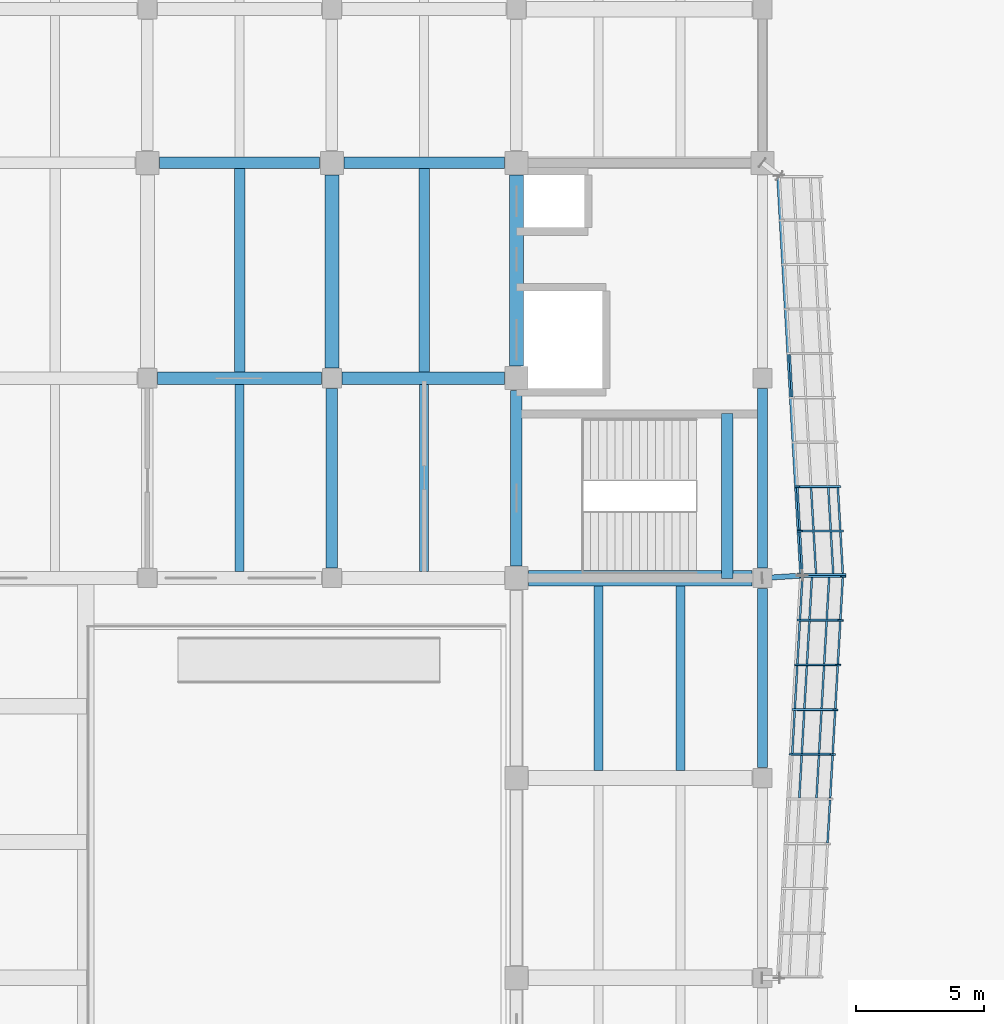
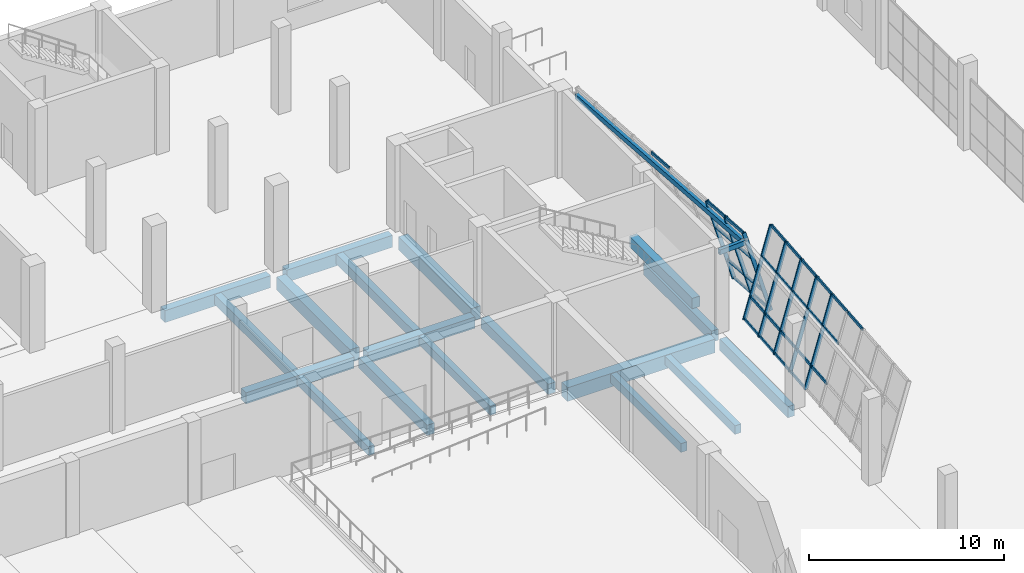
# One storey, part 31 of 78: 37 members, 20 beams, 2 elements without a shape of their own.
"""IFC4 building model written with IfcOpenShell, lengths in metres."""

from ifc_helpers import new_model, si_unit, direction, frame, origin, origin_2d, place, context, subcontext, project, spatial, rectangle, hollow_rectangle, extrude, material, material_profile, profile_set, type_object, element, aggregate, save


model = new_model("IFC4")

# Units and contexts
model_context = context("Model", 3, precision=1e-05, world=origin(), true_north=direction((0.0, 1.0)))
body_context = subcontext(model_context, "Body", "Model", "MODEL_VIEW")
ifc_project = project(units=[si_unit("LENGTHUNIT", "METRE"), si_unit("AREAUNIT", "SQUARE_METRE"), si_unit("VOLUMEUNIT", "CUBIC_METRE"), si_unit("PLANEANGLEUNIT", "RADIAN"), si_unit("MASSUNIT", "GRAM", prefix="KILO")], contexts=[model_context])

# Site, building, storey
site_placement = place(None, origin())
site = spatial("IfcSite", under=ifc_project, at=site_placement, CompositionType="ELEMENT")
building_placement = place(site_placement, origin())
building = spatial("IfcBuilding", under=site, at=building_placement, Name="Pellamere Symphony Hall", CompositionType="ELEMENT")
storey_placement = place(building_placement, origin())
storey = spatial("IfcBuildingStorey", under=building, at=storey_placement, Name="L00", CompositionType="ELEMENT", Elevation=0.0)

# Curtain wall, members
ifc_material_1 = material(Name="Thermally Broken Anodised Aluminium 6063-T6 Curtain Wall", Category="aluminium")
curtain_wall_type = type_object("IfcCurtainWallType", Name="Curtain Wall CW-01 (Tilted Faceted Crystal Low-Iron Curtain Wall)", PredefinedType="NOTDEFINED", material=ifc_material_1)
curtain_wall_1_placement = place(storey_placement, origin())
curtain_wall_1 = element("IfcCurtainWall", 1, at=curtain_wall_1_placement, inside=storey, type_object=curtain_wall_type, Name="Crystal Faceted Curtain Wall CW-CR08 (L00)", PredefinedType="NOTDEFINED")
ifc_material_2 = material(Name="Anodised Architectural Aluminium 6063-T6", Category="aluminium")
ifc_material_profile_1 = material_profile(ifc_material_2, hollow_rectangle(XDim=0.074951171875, YDim=0.219970703125, WallThickness=0.0048828125, at=origin_2d()), Name="ALU-M75X220X5")
ifc_profile_set_1 = profile_set([ifc_material_profile_1], Name="Anodised Architectural Aluminium 6063-T6")
member_type_1 = type_object("IfcMemberType", Name="Curtain Wall Mullion ML-01 ALU-M75X220X5", PredefinedType="MULLION", material=ifc_profile_set_1)
member_1_placement = place(storey_placement, frame((119.949951171875, 70.522216796875, 0.0), z_axis=(0.284029290042, 0.0, 0.958815603961), x_axis=(-0.054873864247, -0.99836096977, 0.016255247244)))
member_1 = element("IfcMember", 2, at=member_1_placement, type_object=member_type_1, Name="CW1-012 crystal mullion 6", PredefinedType="MULLION", context=body_context, shape_type="SweptSolid", body=[
    extrude(hollow_rectangle(XDim=0.074951171875, YDim=0.219970703125, WallThickness=0.0048828125, at=origin_2d()), origin(), (0.0, 0.0, 1.0), 5.6318359375),
])
member_2_placement = place(storey_placement, frame((120.050048828125, 72.2666015625, 0.0), z_axis=(0.284029290042, 0.0, 0.958815603961), x_axis=(-0.054873864247, -0.99836096977, 0.016255247244)))
member_2 = element("IfcMember", 3, at=member_2_placement, type_object=member_type_1, Name="CW1-012 crystal mullion 7", PredefinedType="MULLION", context=body_context, shape_type="SweptSolid", body=[
    extrude(hollow_rectangle(XDim=0.074951171875, YDim=0.219970703125, WallThickness=0.0048828125, at=origin_2d()), origin(), (0.0, 0.0, 1.0), 5.6318359375),
])
member_3_placement = place(storey_placement, frame((120.14990234375, 74.01123046875, 0.0), z_axis=(0.284029290042, 0.0, 0.958815603961), x_axis=(-0.054873864247, -0.99836096977, 0.016255247244)))
member_3 = element("IfcMember", 4, at=member_3_placement, type_object=member_type_1, Name="CW1-012 crystal mullion 8", PredefinedType="MULLION", context=body_context, shape_type="SweptSolid", body=[
    extrude(hollow_rectangle(XDim=0.074951171875, YDim=0.219970703125, WallThickness=0.0048828125, at=origin_2d()), origin(), (0.0, 0.0, 1.0), 5.6318359375),
])
member_4_placement = place(storey_placement, frame((120.25, 75.755615234375, 0.0), z_axis=(0.284029290042, 0.0, 0.958815603961), x_axis=(-0.054873864247, -0.99836096977, 0.016255247244)))
member_4 = element("IfcMember", 5, at=member_4_placement, type_object=member_type_1, Name="CW1-012 crystal mullion 9", PredefinedType="MULLION", context=body_context, shape_type="SweptSolid", body=[
    extrude(hollow_rectangle(XDim=0.074951171875, YDim=0.219970703125, WallThickness=0.0048828125, at=origin_2d()), origin(), (0.0, 0.0, 1.0), 5.6318359375),
])
member_5_placement = place(storey_placement, frame((120.347900390625, 77.462646484375, 0.0), z_axis=(0.284029290042, 0.0, 0.958815603961), x_axis=(-0.054873864247, -0.99836096977, 0.016255247244)))
member_5 = element("IfcMember", 6, at=member_5_placement, type_object=member_type_1, Name="CW1-012 crystal mullion 10", PredefinedType="MULLION", context=body_context, shape_type="SweptSolid", body=[
    extrude(hollow_rectangle(XDim=0.074951171875, YDim=0.219970703125, WallThickness=0.0048828125, at=origin_2d()), origin(), (0.0, 0.0, 1.0), 5.6318359375),
])

curtain_wall_2_placement = place(storey_placement, origin())
curtain_wall_2 = element("IfcCurtainWall", 7, at=curtain_wall_2_placement, inside=storey, type_object=curtain_wall_type, Name="Crystal Faceted Curtain Wall CW-CR09 (L00)", PredefinedType="NOTDEFINED")
member_6_placement = place(storey_placement, frame((121.947509765625, 77.537353515625, 0.0), z_axis=(-0.284029290042, 0.0, 0.958815603961), x_axis=(-0.055224456577, 0.998339941676, -0.01635910297)))
member_6 = element("IfcMember", 8, at=member_6_placement, type_object=member_type_1, Name="CW1-017 crystal mullion 1", PredefinedType="MULLION", context=body_context, shape_type="SweptSolid", body=[
    extrude(hollow_rectangle(XDim=0.074951171875, YDim=0.219970703125, WallThickness=0.0048828125, at=origin_2d()), origin(), (0.0, 0.0, 1.0), 5.6318359375),
])
member_7_placement = place(storey_placement, frame((121.849609375, 79.2333984375, 0.0), z_axis=(-0.284029290042, 0.0, 0.958815603961), x_axis=(-0.055224456577, 0.998339941676, -0.01635910297)))
member_7 = element("IfcMember", 9, at=member_7_placement, type_object=member_type_1, Name="CW1-017 crystal mullion 2", PredefinedType="MULLION", context=body_context, shape_type="SweptSolid", body=[
    extrude(hollow_rectangle(XDim=0.074951171875, YDim=0.219970703125, WallThickness=0.0048828125, at=origin_2d()), origin(), (0.0, 0.0, 1.0), 5.6318359375),
])
member_8_placement = place(storey_placement, frame((121.74951171875, 80.966552734375, 0.0), z_axis=(-0.284029290042, 0.0, 0.958815603961), x_axis=(-0.055224456577, 0.998339941676, -0.01635910297)))
member_8 = element("IfcMember", 10, at=member_8_placement, type_object=member_type_1, Name="CW1-017 crystal mullion 3", PredefinedType="MULLION", context=body_context, shape_type="SweptSolid", body=[
    extrude(hollow_rectangle(XDim=0.074951171875, YDim=0.219970703125, WallThickness=0.0048828125, at=origin_2d()), origin(), (0.0, 0.0, 1.0), 5.6318359375),
])

# Member
ifc_material_profile_2 = material_profile(ifc_material_2, hollow_rectangle(XDim=0.074951171875, YDim=0.179931640625, WallThickness=0.0048828125, at=origin_2d()), Name="ALU-T75X180X5")
ifc_profile_set_2 = profile_set([ifc_material_profile_2], Name="Anodised Architectural Aluminium 6063-T6")
member_type_2 = type_object("IfcMemberType", Name="Curtain Wall Transom TR-01 ALU-T75X180X5", PredefinedType="USERDEFINED", material=ifc_profile_set_2)
member_9_placement = place(storey_placement, frame((121.341064453125, 67.07080078125, 5.364013671875), z_axis=(0.057232737422, 0.998360863499, 0.0), x_axis=(-0.998360863499, 0.057232737422, 0.0)))
member_9 = element("IfcMember", 11, at=member_9_placement, type_object=member_type_2, Name="CW1-012 crystal transom 4.4", ObjectType="TRANSOM", PredefinedType="USERDEFINED", context=body_context, shape_type="SweptSolid", body=[
    extrude(hollow_rectangle(XDim=0.074951171875, YDim=0.179931640625, WallThickness=0.0048828125, at=origin_2d()), origin(), (0.0, 0.0, 1.0), 1.672119140625),
])

member_10_placement = place(storey_placement, frame((120.236083984375, 68.815185546875, 1.2958984375), z_axis=(0.057224396245, 0.998361341637, 0.0), x_axis=(-0.998361341637, 0.057224396245, 0.0)))
member_10 = element("IfcMember", 12, at=member_10_placement, type_object=member_type_2, Name="CW1-012 crystal transom 5.2", ObjectType="TRANSOM", PredefinedType="USERDEFINED", context=body_context, shape_type="SweptSolid", body=[
    extrude(hollow_rectangle(XDim=0.074951171875, YDim=0.179931640625, WallThickness=0.0048828125, at=origin_2d()), origin(), (0.0, 0.0, 1.0), 1.67236328125),
])

member_11_placement = place(storey_placement, frame((120.907958984375, 68.815185546875, 3.56396484375), z_axis=(0.057224396245, 0.998361341637, 0.0), x_axis=(-0.998361341637, 0.057224396245, 0.0)))
member_11 = element("IfcMember", 13, at=member_11_placement, type_object=member_type_2, Name="CW1-012 crystal transom 5.3", ObjectType="TRANSOM", PredefinedType="USERDEFINED", context=body_context, shape_type="SweptSolid", body=[
    extrude(hollow_rectangle(XDim=0.074951171875, YDim=0.179931640625, WallThickness=0.0048828125, at=origin_2d()), origin(), (0.0, 0.0, 1.0), 1.67236328125),
])

member_12_placement = place(storey_placement, frame((121.441162109375, 68.815185546875, 5.364013671875), z_axis=(0.057224396245, 0.998361341637, 0.0), x_axis=(-0.998361341637, 0.057224396245, 0.0)))
member_12 = element("IfcMember", 14, at=member_12_placement, type_object=member_type_2, Name="CW1-012 crystal transom 5.4", ObjectType="TRANSOM", PredefinedType="USERDEFINED", context=body_context, shape_type="SweptSolid", body=[
    extrude(hollow_rectangle(XDim=0.074951171875, YDim=0.179931640625, WallThickness=0.0048828125, at=origin_2d()), origin(), (0.0, 0.0, 1.0), 1.67236328125),
])

member_13_placement = place(storey_placement, frame((119.962890625, 70.5595703125, 0.035888671875), z_axis=(0.057224396245, 0.998361341637, 0.0), x_axis=(-0.998361341637, 0.057224396245, 0.0)))
member_13 = element("IfcMember", 15, at=member_13_placement, type_object=member_type_2, Name="CW1-012 crystal transom 6.1", ObjectType="TRANSOM", PredefinedType="USERDEFINED", context=body_context, shape_type="SweptSolid", body=[
    extrude(hollow_rectangle(XDim=0.074951171875, YDim=0.179931640625, WallThickness=0.0048828125, at=origin_2d()), origin(), (0.0, 0.0, 1.0), 1.67236328125),
])

member_14_placement = place(storey_placement, frame((120.3359375, 70.5595703125, 1.2958984375), z_axis=(0.057224396245, 0.998361341637, 0.0), x_axis=(-0.998361341637, 0.057224396245, 0.0)))
member_14 = element("IfcMember", 16, at=member_14_placement, type_object=member_type_2, Name="CW1-012 crystal transom 6.2", ObjectType="TRANSOM", PredefinedType="USERDEFINED", context=body_context, shape_type="SweptSolid", body=[
    extrude(hollow_rectangle(XDim=0.074951171875, YDim=0.179931640625, WallThickness=0.0048828125, at=origin_2d()), origin(), (0.0, 0.0, 1.0), 1.67236328125),
])

member_15_placement = place(storey_placement, frame((121.0078125, 70.5595703125, 3.56396484375), z_axis=(0.057224396245, 0.998361341637, 0.0), x_axis=(-0.998361341637, 0.057224396245, 0.0)))
member_15 = element("IfcMember", 17, at=member_15_placement, type_object=member_type_2, Name="CW1-012 crystal transom 6.3", ObjectType="TRANSOM", PredefinedType="USERDEFINED", context=body_context, shape_type="SweptSolid", body=[
    extrude(hollow_rectangle(XDim=0.074951171875, YDim=0.179931640625, WallThickness=0.0048828125, at=origin_2d()), origin(), (0.0, 0.0, 1.0), 1.67236328125),
])

member_16_placement = place(storey_placement, frame((121.541015625, 70.5595703125, 5.364013671875), z_axis=(0.057224396245, 0.998361341637, 0.0), x_axis=(-0.998361341637, 0.057224396245, 0.0)))
member_16 = element("IfcMember", 18, at=member_16_placement, type_object=member_type_2, Name="CW1-012 crystal transom 6.4", ObjectType="TRANSOM", PredefinedType="USERDEFINED", context=body_context, shape_type="SweptSolid", body=[
    extrude(hollow_rectangle(XDim=0.074951171875, YDim=0.179931640625, WallThickness=0.0048828125, at=origin_2d()), origin(), (0.0, 0.0, 1.0), 1.67236328125),
])

member_17_placement = place(storey_placement, frame((120.062744140625, 72.30419921875, 0.035888671875), z_axis=(0.057232737422, 0.998360863499, 0.0), x_axis=(-0.998360863499, 0.057232737422, 0.0)))
member_17 = element("IfcMember", 19, at=member_17_placement, type_object=member_type_2, Name="CW1-012 crystal transom 7.1", ObjectType="TRANSOM", PredefinedType="USERDEFINED", context=body_context, shape_type="SweptSolid", body=[
    extrude(hollow_rectangle(XDim=0.074951171875, YDim=0.179931640625, WallThickness=0.0048828125, at=origin_2d()), origin(), (0.0, 0.0, 1.0), 1.672119140625),
])

member_18_placement = place(storey_placement, frame((120.43603515625, 72.30419921875, 1.2958984375), z_axis=(0.057232737422, 0.998360863499, 0.0), x_axis=(-0.998360863499, 0.057232737422, 0.0)))
member_18 = element("IfcMember", 20, at=member_18_placement, type_object=member_type_2, Name="CW1-012 crystal transom 7.2", ObjectType="TRANSOM", PredefinedType="USERDEFINED", context=body_context, shape_type="SweptSolid", body=[
    extrude(hollow_rectangle(XDim=0.074951171875, YDim=0.179931640625, WallThickness=0.0048828125, at=origin_2d()), origin(), (0.0, 0.0, 1.0), 1.672119140625),
])

member_19_placement = place(storey_placement, frame((121.10791015625, 72.30419921875, 3.56396484375), z_axis=(0.057232737422, 0.998360863499, 0.0), x_axis=(-0.998360863499, 0.057232737422, 0.0)))
member_19 = element("IfcMember", 21, at=member_19_placement, type_object=member_type_2, Name="CW1-012 crystal transom 7.3", ObjectType="TRANSOM", PredefinedType="USERDEFINED", context=body_context, shape_type="SweptSolid", body=[
    extrude(hollow_rectangle(XDim=0.074951171875, YDim=0.179931640625, WallThickness=0.0048828125, at=origin_2d()), origin(), (0.0, 0.0, 1.0), 1.672119140625),
])

member_20_placement = place(storey_placement, frame((121.64111328125, 72.30419921875, 5.364013671875), z_axis=(0.057232737422, 0.998360863499, 0.0), x_axis=(-0.998360863499, 0.057232737422, 0.0)))
member_20 = element("IfcMember", 22, at=member_20_placement, type_object=member_type_2, Name="CW1-012 crystal transom 7.4", ObjectType="TRANSOM", PredefinedType="USERDEFINED", context=body_context, shape_type="SweptSolid", body=[
    extrude(hollow_rectangle(XDim=0.074951171875, YDim=0.179931640625, WallThickness=0.0048828125, at=origin_2d()), origin(), (0.0, 0.0, 1.0), 1.672119140625),
])

member_21_placement = place(storey_placement, frame((120.162841796875, 74.048583984375, 0.035888671875), z_axis=(0.057232737422, 0.998360863499, 0.0), x_axis=(-0.998360863499, 0.057232737422, 0.0)))
member_21 = element("IfcMember", 23, at=member_21_placement, type_object=member_type_2, Name="CW1-012 crystal transom 8.1", ObjectType="TRANSOM", PredefinedType="USERDEFINED", context=body_context, shape_type="SweptSolid", body=[
    extrude(hollow_rectangle(XDim=0.074951171875, YDim=0.179931640625, WallThickness=0.0048828125, at=origin_2d()), origin(), (0.0, 0.0, 1.0), 1.672119140625),
])

member_22_placement = place(storey_placement, frame((120.5361328125, 74.048583984375, 1.2958984375), z_axis=(0.057232737422, 0.998360863499, 0.0), x_axis=(-0.998360863499, 0.057232737422, 0.0)))
member_22 = element("IfcMember", 24, at=member_22_placement, type_object=member_type_2, Name="CW1-012 crystal transom 8.2", ObjectType="TRANSOM", PredefinedType="USERDEFINED", context=body_context, shape_type="SweptSolid", body=[
    extrude(hollow_rectangle(XDim=0.074951171875, YDim=0.179931640625, WallThickness=0.0048828125, at=origin_2d()), origin(), (0.0, 0.0, 1.0), 1.672119140625),
])

member_23_placement = place(storey_placement, frame((121.207763671875, 74.048583984375, 3.56396484375), z_axis=(0.057378259236, 0.998352510573, 0.0), x_axis=(-0.998352510573, 0.057378259236, 0.0)))
member_23 = element("IfcMember", 25, at=member_23_placement, type_object=member_type_2, Name="CW1-012 crystal transom 8.3", ObjectType="TRANSOM", PredefinedType="USERDEFINED", context=body_context, shape_type="SweptSolid", body=[
    extrude(hollow_rectangle(XDim=0.074951171875, YDim=0.179931640625, WallThickness=0.0048828125, at=origin_2d()), origin(), (0.0, 0.0, 1.0), 1.672119140625),
])

member_24_placement = place(storey_placement, frame((121.7412109375, 74.048583984375, 5.364013671875), z_axis=(0.057232737422, 0.998360863499, 0.0), x_axis=(-0.998360863499, 0.057232737422, 0.0)))
member_24 = element("IfcMember", 26, at=member_24_placement, type_object=member_type_2, Name="CW1-012 crystal transom 8.4", ObjectType="TRANSOM", PredefinedType="USERDEFINED", context=body_context, shape_type="SweptSolid", body=[
    extrude(hollow_rectangle(XDim=0.074951171875, YDim=0.179931640625, WallThickness=0.0048828125, at=origin_2d()), origin(), (0.0, 0.0, 1.0), 1.672119140625),
])

member_25_placement = place(storey_placement, frame((120.2626953125, 75.79296875, 0.035888671875), z_axis=(0.057347500779, 0.998354277877, 0.0), x_axis=(-0.998354277877, 0.057347500779, 0.0)))
member_25 = element("IfcMember", 27, at=member_25_placement, type_object=member_type_2, Name="CW1-012 crystal transom 9.1", ObjectType="TRANSOM", PredefinedType="USERDEFINED", context=body_context, shape_type="SweptSolid", body=[
    extrude(hollow_rectangle(XDim=0.074951171875, YDim=0.179931640625, WallThickness=0.0048828125, at=origin_2d()), origin(), (0.0, 0.0, 1.0), 1.634765625),
])

member_26_placement = place(storey_placement, frame((120.635986328125, 75.79296875, 1.2958984375), z_axis=(0.057198647566, 0.998362817175, 0.0), x_axis=(-0.998362817175, 0.057198647566, 0.0)))
member_26 = element("IfcMember", 28, at=member_26_placement, type_object=member_type_2, Name="CW1-012 crystal transom 9.2", ObjectType="TRANSOM", PredefinedType="USERDEFINED", context=body_context, shape_type="SweptSolid", body=[
    extrude(hollow_rectangle(XDim=0.074951171875, YDim=0.179931640625, WallThickness=0.0048828125, at=origin_2d()), origin(), (0.0, 0.0, 1.0), 1.634765625),
])

member_27_placement = place(storey_placement, frame((121.307861328125, 75.79296875, 3.56396484375), z_axis=(0.057198647566, 0.998362817175, 0.0), x_axis=(-0.998362817175, 0.057198647566, 0.0)))
member_27 = element("IfcMember", 29, at=member_27_placement, type_object=member_type_2, Name="CW1-012 crystal transom 9.3", ObjectType="TRANSOM", PredefinedType="USERDEFINED", context=body_context, shape_type="SweptSolid", body=[
    extrude(hollow_rectangle(XDim=0.074951171875, YDim=0.179931640625, WallThickness=0.0048828125, at=origin_2d()), origin(), (0.0, 0.0, 1.0), 1.634765625),
])

member_28_placement = place(storey_placement, frame((121.841064453125, 75.79296875, 5.364013671875), z_axis=(0.057198647566, 0.998362817175, 0.0), x_axis=(-0.998362817175, 0.057198647566, 0.0)))
member_28 = element("IfcMember", 30, at=member_28_placement, type_object=member_type_2, Name="CW1-012 crystal transom 9.4", ObjectType="TRANSOM", PredefinedType="USERDEFINED", context=body_context, shape_type="SweptSolid", body=[
    extrude(hollow_rectangle(XDim=0.074951171875, YDim=0.179931640625, WallThickness=0.0048828125, at=origin_2d()), origin(), (0.0, 0.0, 1.0), 1.634765625),
])

aggregate(curtain_wall_1, [member_1, member_2, member_3, member_4, member_5, member_9, member_10, member_11, member_12, member_13, member_14, member_15, member_16, member_17, member_18, member_19, member_20, member_21, member_22, member_23, member_24, member_25, member_26, member_27, member_28])

member_29_placement = place(storey_placement, frame((121.9345703125, 77.574951171875, 0.035888671875), z_axis=(-0.057593652861, 0.998340107954, 0.0), x_axis=(-0.998340107954, -0.057593652861, 0.0)))
member_29 = element("IfcMember", 31, at=member_29_placement, type_object=member_type_2, Name="CW1-017 crystal transom 1.1", ObjectType="TRANSOM", PredefinedType="USERDEFINED", context=body_context, shape_type="SweptSolid", body=[
    extrude(hollow_rectangle(XDim=0.074951171875, YDim=0.179931640625, WallThickness=0.0048828125, at=origin_2d()), origin(), (0.0, 0.0, 1.0), 1.62353515625),
])

member_30_placement = place(storey_placement, frame((121.561279296875, 77.574951171875, 1.2958984375), z_axis=(-0.057593652861, 0.998340107954, 0.0), x_axis=(-0.998340107954, -0.057593652861, 0.0)))
member_30 = element("IfcMember", 32, at=member_30_placement, type_object=member_type_2, Name="CW1-017 crystal transom 1.2", ObjectType="TRANSOM", PredefinedType="USERDEFINED", context=body_context, shape_type="SweptSolid", body=[
    extrude(hollow_rectangle(XDim=0.074951171875, YDim=0.179931640625, WallThickness=0.0048828125, at=origin_2d()), origin(), (0.0, 0.0, 1.0), 1.62353515625),
])

member_31_placement = place(storey_placement, frame((120.8896484375, 77.574951171875, 3.56396484375), z_axis=(-0.057593652861, 0.998340107954, 0.0), x_axis=(-0.998340107954, -0.057593652861, 0.0)))
member_31 = element("IfcMember", 33, at=member_31_placement, type_object=member_type_2, Name="CW1-017 crystal transom 1.3", ObjectType="TRANSOM", PredefinedType="USERDEFINED", context=body_context, shape_type="SweptSolid", body=[
    extrude(hollow_rectangle(XDim=0.074951171875, YDim=0.179931640625, WallThickness=0.0048828125, at=origin_2d()), origin(), (0.0, 0.0, 1.0), 1.62353515625),
])

member_32_placement = place(storey_placement, frame((120.3564453125, 77.574951171875, 5.364013671875), z_axis=(-0.057743527187, 0.998331450505, 0.0), x_axis=(-0.998331450505, -0.057743527187, 0.0)))
member_32 = element("IfcMember", 34, at=member_32_placement, type_object=member_type_2, Name="CW1-017 crystal transom 1.4", ObjectType="TRANSOM", PredefinedType="USERDEFINED", context=body_context, shape_type="SweptSolid", body=[
    extrude(hollow_rectangle(XDim=0.074951171875, YDim=0.179931640625, WallThickness=0.0048828125, at=origin_2d()), origin(), (0.0, 0.0, 1.0), 1.62353515625),
])

member_33_placement = place(storey_placement, frame((121.836669921875, 79.270751953125, 0.035888671875), z_axis=(-0.057464139598, 0.998347571069, 0.0), x_axis=(-0.998347571069, -0.057464139598, 0.0)))
member_33 = element("IfcMember", 35, at=member_33_placement, type_object=member_type_2, Name="CW1-017 crystal transom 2.1", ObjectType="TRANSOM", PredefinedType="USERDEFINED", context=body_context, shape_type="SweptSolid", body=[
    extrude(hollow_rectangle(XDim=0.074951171875, YDim=0.179931640625, WallThickness=0.0048828125, at=origin_2d()), origin(), (0.0, 0.0, 1.0), 1.6611328125),
])

member_34_placement = place(storey_placement, frame((121.463623046875, 79.270751953125, 1.2958984375), z_axis=(-0.057610619545, 0.998339129012, 0.0), x_axis=(-0.998339129012, -0.057610619545, 0.0)))
member_34 = element("IfcMember", 36, at=member_34_placement, type_object=member_type_2, Name="CW1-017 crystal transom 2.2", ObjectType="TRANSOM", PredefinedType="USERDEFINED", context=body_context, shape_type="SweptSolid", body=[
    extrude(hollow_rectangle(XDim=0.074951171875, YDim=0.179931640625, WallThickness=0.0048828125, at=origin_2d()), origin(), (0.0, 0.0, 1.0), 1.6611328125),
])

member_35_placement = place(storey_placement, frame((120.791748046875, 79.270751953125, 3.56396484375), z_axis=(-0.057610619545, 0.998339129012, 0.0), x_axis=(-0.998339129012, -0.057610619545, 0.0)))
member_35 = element("IfcMember", 37, at=member_35_placement, type_object=member_type_2, Name="CW1-017 crystal transom 2.3", ObjectType="TRANSOM", PredefinedType="USERDEFINED", context=body_context, shape_type="SweptSolid", body=[
    extrude(hollow_rectangle(XDim=0.074951171875, YDim=0.179931640625, WallThickness=0.0048828125, at=origin_2d()), origin(), (0.0, 0.0, 1.0), 1.6611328125),
])

member_36_placement = place(storey_placement, frame((120.258544921875, 79.270751953125, 5.364013671875), z_axis=(-0.057610619545, 0.998339129012, 0.0), x_axis=(-0.998339129012, -0.057610619545, 0.0)))
member_36 = element("IfcMember", 38, at=member_36_placement, type_object=member_type_2, Name="CW1-017 crystal transom 2.4", ObjectType="TRANSOM", PredefinedType="USERDEFINED", context=body_context, shape_type="SweptSolid", body=[
    extrude(hollow_rectangle(XDim=0.074951171875, YDim=0.179931640625, WallThickness=0.0048828125, at=origin_2d()), origin(), (0.0, 0.0, 1.0), 1.6611328125),
])

member_37_placement = place(storey_placement, frame((119.95849609375, 84.470703125, 5.364013671875), z_axis=(-0.057610619545, 0.998339129012, 0.0), x_axis=(-0.998339129012, -0.057610619545, 0.0)))
member_37 = element("IfcMember", 39, at=member_37_placement, type_object=member_type_2, Name="CW1-017 crystal transom 5.4", ObjectType="TRANSOM", PredefinedType="USERDEFINED", context=body_context, shape_type="SweptSolid", body=[
    extrude(hollow_rectangle(XDim=0.074951171875, YDim=0.179931640625, WallThickness=0.0048828125, at=origin_2d()), origin(), (0.0, 0.0, 1.0), 1.6611328125),
])

aggregate(curtain_wall_2, [member_6, member_7, member_8, member_29, member_30, member_31, member_32, member_33, member_34, member_35, member_36, member_37])

# Beams
ifc_material_3 = material(Name="Concrete 40 MPa", Category="concrete")
ifc_material_profile_3 = material_profile(ifc_material_3, rectangle(XDim=0.60009765625, YDim=0.85009765625, at=origin_2d()), Name="RC 600x850")
ifc_profile_set_3 = profile_set([ifc_material_profile_3], Name="Concrete 40 MPa")
beam_type_1 = type_object("IfcBeamType", Name="RC CB-04 600x850", PredefinedType="BEAM", material=ifc_profile_set_3)
beam_1_placement = place(storey_placement, frame((109.675048828125, 77.39990234375, -0.72509765625), z_axis=(1.0, 0.0, 0.0), x_axis=(0.0, 1.0, 0.0)))
element("IfcBeam", 40, at=beam_1_placement, inside=storey, type_object=beam_type_1, Name="Girder CB-04-X0144 (L00)", PredefinedType="BEAM", context=body_context, shape_type="SweptSolid", body=[
    extrude(rectangle(XDim=0.60009765625, YDim=0.85009765625, at=origin_2d()), origin(), (0.0, 0.0, 1.0), 8.724853515625),
])
ifc_material_profile_4 = material_profile(ifc_material_3, rectangle(XDim=0.550048828125, YDim=0.800048828125, at=origin_2d()), Name="RC 550x800")
ifc_profile_set_4 = profile_set([ifc_material_profile_4], Name="Concrete 40 MPa")
beam_type_2 = type_object("IfcBeamType", Name="RC CB-05 550x800", PredefinedType="BEAM", material=ifc_profile_set_4)
beam_2_placement = place(storey_placement, frame((102.0, 85.60009765625, -0.699951171875), z_axis=(0.0, 1.0, 0.0), x_axis=(-1.0, 0.0, 0.0)))
element("IfcBeam", 41, at=beam_2_placement, inside=storey, type_object=beam_type_2, Name="Girder CB-05-Y0300 (L00)", PredefinedType="BEAM", context=body_context, shape_type="SweptSolid", body=[
    extrude(rectangle(XDim=0.550048828125, YDim=0.800048828125, at=origin_2d()), origin(), (0.0, 0.0, 1.0), 7.52490234375),
])
beam_3_placement = place(storey_placement, frame((109.199951171875, 85.675048828125, -0.699951171875), z_axis=(0.0, 1.0, 0.0), x_axis=(-1.0, 0.0, 0.0)))
element("IfcBeam", 42, at=beam_3_placement, inside=storey, type_object=beam_type_2, Name="Girder CB-05-Y0313 (L00)", PredefinedType="BEAM", context=body_context, shape_type="SweptSolid", body=[
    extrude(rectangle(XDim=0.550048828125, YDim=0.800048828125, at=origin_2d()), origin(), (0.0, 0.0, 1.0), 7.449951171875),
])
ifc_material_profile_5 = material_profile(ifc_material_3, rectangle(XDim=0.5, YDim=0.699951171875, at=origin_2d()), Name="RC 500x700")
ifc_profile_set_5 = profile_set([ifc_material_profile_5], Name="Concrete 40 MPa")
beam_type_3 = type_object("IfcBeamType", Name="RC CB-07 500x700", PredefinedType="BEAM", material=ifc_profile_set_5)
beam_4_placement = place(storey_placement, frame((95.199951171875, 85.199951171875, -0.64990234375), z_axis=(1.0, 0.0, 0.0), x_axis=(0.0, 1.0, 0.0)))
element("IfcBeam", 43, at=beam_4_placement, inside=storey, type_object=beam_type_3, Name="Girder CB-07-X0155 (L00)", PredefinedType="BEAM", context=body_context, shape_type="SweptSolid", body=[
    extrude(rectangle(XDim=0.5, YDim=0.699951171875, at=origin_2d()), origin(), (0.0, 0.0, 1.0), 6.400146484375),
])
beam_5_placement = place(storey_placement, frame((102.39990234375, 85.199951171875, -0.64990234375), z_axis=(1.0, 0.0, 0.0), x_axis=(0.0, 1.0, 0.0)))
element("IfcBeam", 44, at=beam_5_placement, inside=storey, type_object=beam_type_3, Name="Girder CB-07-X0156 (L00)", PredefinedType="BEAM", context=body_context, shape_type="SweptSolid", body=[
    extrude(rectangle(XDim=0.5, YDim=0.699951171875, at=origin_2d()), origin(), (0.0, 0.0, 1.0), 6.3251953125),
])
ifc_material_profile_6 = material_profile(ifc_material_3, rectangle(XDim=0.449951171875, YDim=0.64990234375, at=origin_2d()), Name="RC 450x650")
ifc_profile_set_6 = profile_set([ifc_material_profile_6], Name="Concrete 40 MPa")
beam_type_4 = type_object("IfcBeamType", Name="RC CB-08 450x650", PredefinedType="BEAM", material=ifc_profile_set_6)
beam_6_placement = place(storey_placement, frame((102.0, 77.800048828125, -0.625), z_axis=(0.0, 1.0, 0.0), x_axis=(-1.0, 0.0, 0.0)))
element("IfcBeam", 45, at=beam_6_placement, inside=storey, type_object=beam_type_4, Name="Girder CB-08-Y0299 (L00)", PredefinedType="BEAM", context=body_context, shape_type="SweptSolid", body=[
    extrude(rectangle(XDim=0.449951171875, YDim=0.64990234375, at=origin_2d()), origin(), (0.0, 0.0, 1.0), 7.0),
])
beam_7_placement = place(storey_placement, frame((109.199951171875, 77.875, -0.625), z_axis=(0.0, 1.0, 0.0), x_axis=(-1.0, 0.0, 0.0)))
element("IfcBeam", 46, at=beam_7_placement, inside=storey, type_object=beam_type_4, Name="Girder CB-08-Y0312 (L00)", PredefinedType="BEAM", context=body_context, shape_type="SweptSolid", body=[
    extrude(rectangle(XDim=0.449951171875, YDim=0.64990234375, at=origin_2d()), origin(), (0.0, 0.0, 1.0), 6.85009765625),
])
beam_8_placement = place(storey_placement, frame((117.4326171875, 77.3798828125, 2.155029296875), z_axis=(0.0, 1.0, 0.0), x_axis=(-1.0, 0.0, 0.0)))
element("IfcBeam", 47, at=beam_8_placement, inside=storey, type_object=beam_type_4, Name="Stair ST04-L00 Half Landing Support Beam (L00)", PredefinedType="BEAM", context=body_context, shape_type="SweptSolid", body=[
    extrude(rectangle(XDim=0.449951171875, YDim=0.64990234375, at=origin_2d()), origin(), (0.0, 0.0, 1.0), 6.440185546875),
])
ifc_material_profile_7 = material_profile(ifc_material_3, rectangle(XDim=0.39990234375, YDim=0.60009765625, at=origin_2d()), Name="RC 400x600")
ifc_profile_set_7 = profile_set([ifc_material_profile_7], Name="Concrete 40 MPa")
beam_type_5 = type_object("IfcBeamType", Name="RC CB-09 400x600", PredefinedType="BEAM", material=ifc_profile_set_7)
for number, where, z_axis, x_axis, name in (
    (48, (98.39990234375, 85.449951171875, -0.614990234375), (0.0, 1.0, 0.0), (-1.0, 0.0, 0.0), "Secondary Floor Beam CB-09-M1211 (L00)"),
    (49, (105.60009765625, 85.449951171875, -0.614990234375), (0.0, 1.0, 0.0), (-1.0, 0.0, 0.0), "Secondary Floor Beam CB-09-M1311 (L00)"),
):
    element("IfcBeam", number, at=place(storey_placement, frame(where, z_axis=z_axis, x_axis=x_axis)), inside=storey, type_object=beam_type_5, Name=name, PredefinedType="BEAM", context=body_context, shape_type="SweptSolid", body=[
        extrude(rectangle(XDim=0.39990234375, YDim=0.60009765625, at=origin_2d()), origin(), (0.0, 0.0, 1.0), 7.925048828125),
    ])
ifc_material_4 = material(Name="Concrete 35 MPa", Category="concrete")
ifc_material_profile_8 = material_profile(ifc_material_4, rectangle(XDim=0.35009765625, YDim=0.550048828125, at=origin_2d()), Name="RC 350x550")
ifc_profile_set_8 = profile_set([ifc_material_profile_8], Name="Concrete 35 MPa")
beam_type_6 = type_object("IfcBeamType", Name="RC CB-10 350x550", PredefinedType="BEAM", material=ifc_profile_set_8)
for number, where, z_axis, x_axis, name in (
    (50, (98.39990234375, 77.64990234375, -0.590087890625), (0.0, 1.0, 0.0), (-1.0, 0.0, 0.0), "Secondary Floor Beam CB-10-M1210 (L00)"),
    (51, (105.60009765625, 77.64990234375, -0.590087890625), (0.0, 1.0, 0.0), (-1.0, 0.0, 0.0), "Secondary Floor Beam CB-10-M1310 (L00)"),
):
    element("IfcBeam", number, at=place(storey_placement, frame(where, z_axis=z_axis, x_axis=x_axis)), inside=storey, type_object=beam_type_6, Name=name, PredefinedType="BEAM", context=body_context, shape_type="SweptSolid", body=[
        extrude(rectangle(XDim=0.35009765625, YDim=0.550048828125, at=origin_2d()), origin(), (0.0, 0.0, 1.0), 7.300048828125),
    ])
for number, where, z_axis, x_axis, name in (
    (52, (112.39990234375, 69.89990234375, -0.590087890625), (0.0, 1.0, 0.0), (-1.0, 0.0, 0.0), "Secondary Floor Beam CB-10-A1409 (L00)"),
    (53, (115.60009765625, 69.89990234375, -0.590087890625), (0.0, 1.0, 0.0), (-1.0, 0.0, 0.0), "Secondary Floor Beam CB-10-B1409 (L00)"),
):
    element("IfcBeam", number, at=place(storey_placement, frame(where, z_axis=z_axis, x_axis=x_axis)), inside=storey, type_object=beam_type_6, Name=name, PredefinedType="BEAM", context=body_context, shape_type="SweptSolid", body=[
        extrude(rectangle(XDim=0.35009765625, YDim=0.550048828125, at=origin_2d()), origin(), (0.0, 0.0, 1.0), 7.2001953125),
    ])
ifc_material_profile_9 = material_profile(ifc_material_3, rectangle(XDim=0.449951171875, YDim=0.75, at=origin_2d()), Name="RC 450x750")
ifc_profile_set_9 = profile_set([ifc_material_profile_9], Name="Concrete 40 MPa")
beam_type_7 = type_object("IfcBeamType", Name="RC CB-12 450x750", PredefinedType="SPANDREL", material=ifc_profile_set_9)
for number, where, z_axis, x_axis, name in (
    (54, (95.27490234375, 93.60009765625, -0.675048828125), (1.0, 0.0, 0.0), (0.0, 1.0, 0.0), "Girder CB-12-X0167 (L00)"),
    (55, (102.47509765625, 93.60009765625, -0.675048828125), (1.0, 0.0, 0.0), (0.0, 1.0, 0.0), "Girder CB-12-X0168 (L00)"),
):
    element("IfcBeam", number, at=place(storey_placement, frame(where, z_axis=z_axis, x_axis=x_axis)), inside=storey, type_object=beam_type_7, Name=name, PredefinedType="SPANDREL", context=body_context, shape_type="SweptSolid", body=[
        extrude(rectangle(XDim=0.449951171875, YDim=0.75, at=origin_2d()), origin(), (0.0, 0.0, 1.0), 6.25),
    ])
ifc_material_profile_10 = material_profile(ifc_material_3, rectangle(XDim=0.39990234375, YDim=0.699951171875, at=origin_2d()), Name="RC 400x700")
ifc_profile_set_10 = profile_set([ifc_material_profile_10], Name="Concrete 40 MPa")
beam_type_8 = type_object("IfcBeamType", Name="RC CB-13 400x700", PredefinedType="SPANDREL", material=ifc_profile_set_10)
for number, where, z_axis, x_axis, name in (
    (56, (118.800048828125, 70.0, -0.64990234375), (0.0, 1.0, 0.0), (-1.0, 0.0, 0.0), "Girder CB-13-Y0324 (L00)"),
    (57, (118.800048828125, 77.800048828125, -0.64990234375), (0.0, 1.0, 0.0), (-1.0, 0.0, 0.0), "Girder CB-13-Y0325 (L00)"),
):
    element("IfcBeam", number, at=place(storey_placement, frame(where, z_axis=z_axis, x_axis=x_axis)), inside=storey, type_object=beam_type_8, Name=name, PredefinedType="SPANDREL", context=body_context, shape_type="SweptSolid", body=[
        extrude(rectangle(XDim=0.39990234375, YDim=0.699951171875, at=origin_2d()), origin(), (0.0, 0.0, 1.0), 7.0),
    ])
ifc_material_5 = material(Name="Steel CSA G40.21 350W", Category="steel")
ifc_material_profile_11 = material_profile(ifc_material_5, hollow_rectangle(XDim=0.203125, YDim=0.3046875, WallThickness=0.0126953125, at=origin_2d()), Name="HSS305X203X13")
ifc_profile_set_11 = profile_set([ifc_material_profile_11], Name="Steel CSA G40.21 350W")
beam_type_9 = type_object("IfcBeamType", Name="Steel Spandrel SB-26 HSS305X203X13", PredefinedType="SPANDREL", material=ifc_profile_set_11)
beam_9_placement = place(storey_placement, frame((118.800048828125, 77.39990234375, 4.840087890625), z_axis=(0.997921398046, 0.064442868672, 0.0), x_axis=(-0.064442868672, 0.997921398046, 0.0)))
element("IfcBeam", 58, at=beam_9_placement, inside=storey, type_object=beam_type_9, Name="Crystal Ring Outrigger Bracket 028 (L00)", PredefinedType="SPANDREL", context=body_context, shape_type="SweptSolid", body=[
    extrude(hollow_rectangle(XDim=0.203125, YDim=0.3046875, WallThickness=0.0126953125, at=origin_2d()), origin(), (0.0, 0.0, 1.0), 1.55322265625),
])
beam_10_placement = place(storey_placement, frame((120.35009765625, 77.5, 4.840087890625), z_axis=(-0.057605519012, 0.998339423332, 0.0), x_axis=(-0.998339423332, -0.057605519012, 0.0)))
element("IfcBeam", 59, at=beam_10_placement, inside=storey, type_object=beam_type_9, Name="Crystal Perimeter Ring Beam CW-CR09 (L00)", PredefinedType="SPANDREL", context=body_context, shape_type="SweptSolid", body=[
    extrude(hollow_rectangle(XDim=0.203125, YDim=0.3046875, WallThickness=0.0126953125, at=origin_2d()), origin(), (0.0, 0.0, 1.0), 15.6259765625),
])

save(model, "model.ifc")
